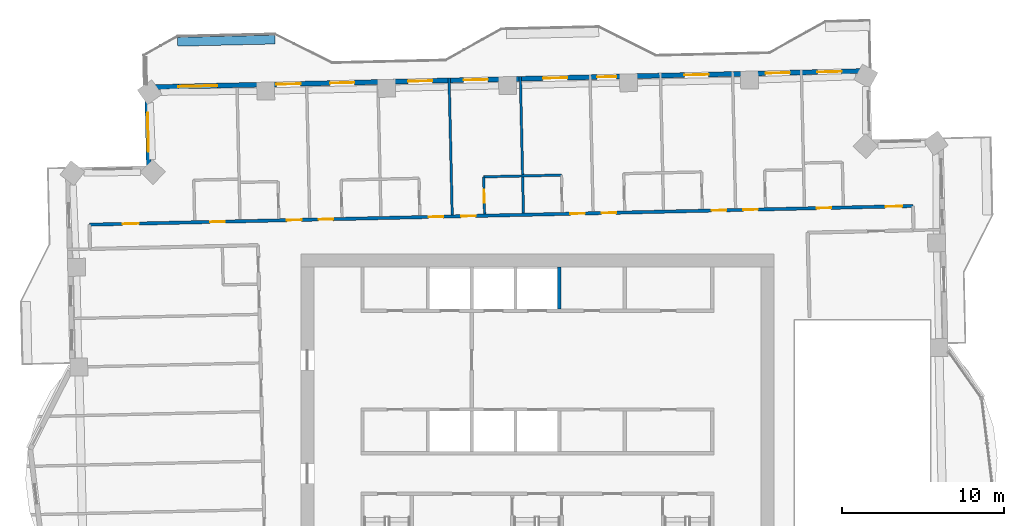
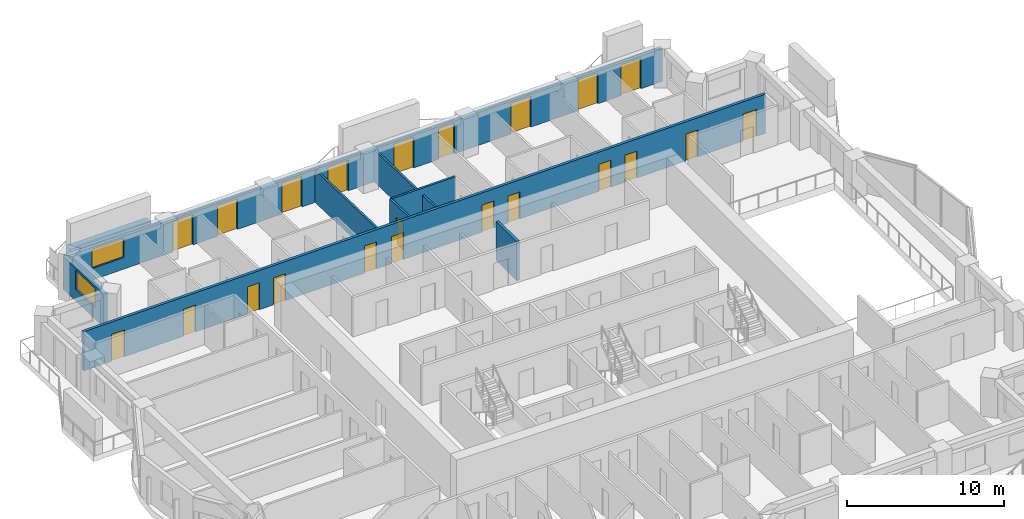
# One storey, part 11 of 17: 22 doors, 9 walls, 2 windows, 24 openings.
"""IFC4 building model written with IfcOpenShell, lengths in metres."""

from ifc_helpers import new_model, si_unit, direction, frame, frame_2d, origin, place, context, subcontext, project, spatial, rectangle, extrude, material, layer, layer_set, type_object, element, fill, save


model = new_model("IFC4")

# Units and contexts
model_context = context("Model", 3, precision=1e-05, world=origin(), true_north=direction((0.0, 1.0)))
body_context = subcontext(model_context, "Body", "Model", "MODEL_VIEW")
ifc_project = project(units=[si_unit("LENGTHUNIT", "METRE"), si_unit("AREAUNIT", "SQUARE_METRE"), si_unit("VOLUMEUNIT", "CUBIC_METRE"), si_unit("PLANEANGLEUNIT", "RADIAN"), si_unit("MASSUNIT", "GRAM", prefix="KILO")], contexts=[model_context])

# Site, building, storey
site_placement = place(None, origin())
site = spatial("IfcSite", under=ifc_project, at=site_placement, CompositionType="ELEMENT")
building_placement = place(site_placement, origin())
building = spatial("IfcBuilding", under=site, at=building_placement, Name="Mangrove Gate Tower", CompositionType="ELEMENT")
storey_placement = place(building_placement, frame((0.0, 0.0, 234.699951171875)))
storey = spatial("IfcBuildingStorey", under=building, at=storey_placement, Name="L59", CompositionType="ELEMENT", Elevation=234.699951171875)

# Wall
ifc_material_1 = material(Name="Concrete C60/75", Category="concrete")
ifc_layer_1 = layer(ifc_material_1, 0.199951171875)
ifc_layer_set_1 = layer_set([ifc_layer_1], Name="Core shaft wall 200 C60/75")
wall_type_1 = type_object("IfcWallType", Name="Core shaft wall 200 C60/75", PredefinedType="SHEAR", material=ifc_layer_set_1)
wall_1_placement = place(storey_placement, frame((1.35009765625, 8.199951171875, 0.0), z_axis=(0.0, 0.0, 1.0), x_axis=(0.0, 1.0, 0.0)))
element("IfcWall", 1, at=wall_1_placement, inside=storey, type_object=wall_type_1, Name="WALL-L59-CORE-30", PredefinedType="SHEAR", context=body_context, shape_type="SweptSolid", body=[
    extrude(rectangle(XDim=2.60009765625, YDim=0.199951171875, at=frame_2d((1.300048828125, 0.0))), origin(), (0.0, 0.0, 1.0), 3.050048828125),
])

# Wall, openings, doors
ifc_material_2 = material(Name="Gypsum board on steel stud, EI 60", Category="steel")
ifc_layer_2 = layer(ifc_material_2, 0.199951171875)
ifc_layer_set_2 = layer_set([ifc_layer_2], Name="Corridor wall EI 60")
wall_type_2 = type_object("IfcWallType", Name="Corridor wall EI 60", PredefinedType="PARTITIONING", material=ifc_layer_set_2)
wall_2_placement = place(storey_placement, frame((-27.652099609375, 13.4130859375, 0.0), z_axis=(0.0, 0.0, 1.0), x_axis=(0.999742610679, 0.022687273792, 0.0)))
wall_2 = element("IfcWall", 2, at=wall_2_placement, inside=storey, type_object=wall_type_2, Name="WALL-L59-053", PredefinedType="PARTITIONING", context=body_context, shape_type="SweptSolid", body=[
    extrude(rectangle(XDim=50.857177734375, YDim=0.199951171875, at=frame_2d((25.4287109375, 0.0))), origin(), (0.0, 0.0, 1.0), 3.050048828125),
])
opening_1_placement = place(wall_2_placement, frame((49.178955078125, 0.0, 0.0)))
opening_1 = element("IfcOpeningElement", 3, at=opening_1_placement, cuts=wall_2, Name="Opening AD", PredefinedType="OPENING", context=body_context, shape_type="SweptSolid", body=[
    extrude(rectangle(XDim=1.0, YDim=2.10009765625, at=frame_2d((0.5, 1.050048828125))), frame((0.0, 0.10986328125, 0.0), z_axis=(0.0, -1.0, 0.0), x_axis=(1.0, 0.0, 0.0)), (0.0, 0.0, 1.0), 0.219970703125),
])
opening_2_placement = place(wall_2_placement, frame((44.89990234375, 0.0, 0.0)))
opening_2 = element("IfcOpeningElement", 4, at=opening_2_placement, cuts=wall_2, Name="Opening SD", PredefinedType="OPENING", context=body_context, shape_type="SweptSolid", body=[
    extrude(rectangle(XDim=0.89990234375, YDim=2.10009765625, at=frame_2d((0.449951171875, 1.050048828125))), frame((0.0, 0.10986328125, 0.0), z_axis=(0.0, -1.0, 0.0), x_axis=(1.0, 0.0, 0.0)), (0.0, 0.0, 1.0), 0.219970703125),
])
opening_3_placement = place(wall_2_placement, frame((40.375, 0.0, 0.0)))
opening_3 = element("IfcOpeningElement", 5, at=opening_3_placement, cuts=wall_2, Name="Opening BD", PredefinedType="OPENING", context=body_context, shape_type="SweptSolid", body=[
    extrude(rectangle(XDim=0.89990234375, YDim=2.10009765625, at=frame_2d((0.449951171875, 1.050048828125))), frame((0.0, 0.10986328125, 0.0), z_axis=(0.0, -1.0, 0.0), x_axis=(1.0, 0.0, 0.0)), (0.0, 0.0, 1.0), 0.219970703125),
])
opening_4_placement = place(wall_2_placement, frame((38.425048828125, 0.0, 0.0)))
opening_4 = element("IfcOpeningElement", 6, at=opening_4_placement, cuts=wall_2, Name="Opening BD", PredefinedType="OPENING", context=body_context, shape_type="SweptSolid", body=[
    extrude(rectangle(XDim=0.89990234375, YDim=2.10009765625, at=frame_2d((0.449951171875, 1.050048828125))), frame((0.0, 0.10986328125, 0.0), z_axis=(0.0, -1.0, 0.0), x_axis=(1.0, 0.0, 0.0)), (0.0, 0.0, 1.0), 0.219970703125),
])
opening_5_placement = place(wall_2_placement, frame((31.625, 0.0, 0.0)))
opening_5 = element("IfcOpeningElement", 7, at=opening_5_placement, cuts=wall_2, Name="Opening BD", PredefinedType="OPENING", context=body_context, shape_type="SweptSolid", body=[
    extrude(rectangle(XDim=0.89990234375, YDim=2.10009765625, at=frame_2d((0.449951171875, 1.050048828125))), frame((0.0, 0.10986328125, 0.0), z_axis=(0.0, -1.0, 0.0), x_axis=(1.0, 0.0, 0.0)), (0.0, 0.0, 1.0), 0.219970703125),
])
opening_6_placement = place(wall_2_placement, frame((29.699951171875, 0.0, 0.0)))
opening_6 = element("IfcOpeningElement", 8, at=opening_6_placement, cuts=wall_2, Name="Opening BD", PredefinedType="OPENING", context=body_context, shape_type="SweptSolid", body=[
    extrude(rectangle(XDim=0.89990234375, YDim=2.10009765625, at=frame_2d((0.449951171875, 1.050048828125))), frame((0.0, 0.10986328125, 0.0), z_axis=(0.0, -1.0, 0.0), x_axis=(1.0, 0.0, 0.0)), (0.0, 0.0, 1.0), 0.219970703125),
])
opening_7_placement = place(wall_2_placement, frame((22.949951171875, 0.0, 0.0)))
opening_7 = element("IfcOpeningElement", 9, at=opening_7_placement, cuts=wall_2, Name="Opening BD", PredefinedType="OPENING", context=body_context, shape_type="SweptSolid", body=[
    extrude(rectangle(XDim=0.89990234375, YDim=2.10009765625, at=frame_2d((0.449951171875, 1.050048828125))), frame((0.0, 0.10986328125, 0.0), z_axis=(0.0, -1.0, 0.0), x_axis=(1.0, 0.0, 0.0)), (0.0, 0.0, 1.0), 0.219970703125),
])
opening_8_placement = place(wall_2_placement, frame((20.949951171875, 0.0, 0.0)))
opening_8 = element("IfcOpeningElement", 10, at=opening_8_placement, cuts=wall_2, Name="Opening BD", PredefinedType="OPENING", context=body_context, shape_type="SweptSolid", body=[
    extrude(rectangle(XDim=0.89990234375, YDim=2.10009765625, at=frame_2d((0.449951171875, 1.050048828125))), frame((0.0, 0.10986328125, 0.0), z_axis=(0.0, -1.0, 0.0), x_axis=(1.0, 0.0, 0.0)), (0.0, 0.0, 1.0), 0.219970703125),
])
opening_9_placement = place(wall_2_placement, frame((14.14990234375, 0.0, 0.0)))
opening_9 = element("IfcOpeningElement", 11, at=opening_9_placement, cuts=wall_2, Name="Opening BD", PredefinedType="OPENING", context=body_context, shape_type="SweptSolid", body=[
    extrude(rectangle(XDim=0.89990234375, YDim=2.10009765625, at=frame_2d((0.449951171875, 1.050048828125))), frame((0.0, 0.10986328125, 0.0), z_axis=(0.0, -1.0, 0.0), x_axis=(1.0, 0.0, 0.0)), (0.0, 0.0, 1.0), 0.219970703125),
])
opening_10_placement = place(wall_2_placement, frame((12.199951171875, 0.0, 0.0)))
opening_10 = element("IfcOpeningElement", 12, at=opening_10_placement, cuts=wall_2, Name="Opening BD", PredefinedType="OPENING", context=body_context, shape_type="SweptSolid", body=[
    extrude(rectangle(XDim=0.89990234375, YDim=2.10009765625, at=frame_2d((0.449951171875, 1.050048828125))), frame((0.0, 0.10986328125, 0.0), z_axis=(0.0, -1.0, 0.0), x_axis=(1.0, 0.0, 0.0)), (0.0, 0.0, 1.0), 0.219970703125),
])
opening_11_placement = place(wall_2_placement, frame((2.050048828125, 0.0, 0.0)))
opening_11 = element("IfcOpeningElement", 13, at=opening_11_placement, cuts=wall_2, Name="Opening AD", PredefinedType="OPENING", context=body_context, shape_type="SweptSolid", body=[
    extrude(rectangle(XDim=1.0, YDim=2.10009765625, at=frame_2d((0.5, 1.050048828125))), frame((0.0, 0.10986328125, 0.0), z_axis=(0.0, -1.0, 0.0), x_axis=(1.0, 0.0, 0.0)), (0.0, 0.0, 1.0), 0.219970703125),
])
opening_12_placement = place(wall_2_placement, frame((7.449951171875, 0.0, 0.0)))
opening_12 = element("IfcOpeningElement", 14, at=opening_12_placement, cuts=wall_2, Name="Opening SD", PredefinedType="OPENING", context=body_context, shape_type="SweptSolid", body=[
    extrude(rectangle(XDim=0.89990234375, YDim=2.10009765625, at=frame_2d((0.449951171875, 1.050048828125))), frame((0.0, 0.10986328125, 0.0), z_axis=(0.0, -1.0, 0.0), x_axis=(1.0, 0.0, 0.0)), (0.0, 0.0, 1.0), 0.219970703125),
])
ifc_material_3 = material(Name="Timber door leaf", Category="wood")
door_type_1 = type_object("IfcDoorType", Name="Amenity door 1000", OperationType="SINGLE_SWING_LEFT", PredefinedType="DOOR", material=ifc_material_3)
door_1_placement = place(opening_1_placement, origin())
door_1 = element("IfcDoor", 15, at=door_1_placement, inside=storey, type_object=door_type_1, Name="DOOR-L59-STU-c3c", OperationType="SINGLE_SWING_LEFT", OverallHeight=2.10009765625, OverallWidth=1.0, PredefinedType="DOOR", context=body_context, shape_type="SweptSolid", body=[
    extrude(rectangle(XDim=1.0, YDim=2.10009765625, at=frame_2d((0.5, 1.050048828125))), frame((0.0, 0.02490234375, 0.0), z_axis=(0.0, -1.0, 0.0), x_axis=(1.0, 0.0, 0.0)), (0.0, 0.0, 1.0), 0.050048828125),
])
fill(opening_1, door_1)
door_2_placement = place(opening_11_placement, origin())
door_2 = element("IfcDoor", 16, at=door_2_placement, inside=storey, type_object=door_type_1, Name="DOOR-L59-LNG-c5a", OperationType="SINGLE_SWING_RIGHT", OverallHeight=2.10009765625, OverallWidth=1.0, PredefinedType="DOOR", context=body_context, shape_type="SweptSolid", body=[
    extrude(rectangle(XDim=1.0, YDim=2.10009765625, at=frame_2d((0.5, 1.050048828125))), frame((0.0, 0.02490234375, 0.0), z_axis=(0.0, -1.0, 0.0), x_axis=(1.0, 0.0, 0.0)), (0.0, 0.0, 1.0), 0.050048828125),
])
fill(opening_11, door_2)
ifc_material_4 = material(Name="Timber door leaf", Category="wood")
door_type_2 = type_object("IfcDoorType", Name="Bedroom door 900", OperationType="SINGLE_SWING_LEFT", PredefinedType="DOOR", material=ifc_material_4)
door_3_placement = place(opening_3_placement, origin())
door_3 = element("IfcDoor", 17, at=door_3_placement, inside=storey, type_object=door_type_2, Name="DOOR-L59-BED-c309", OperationType="SINGLE_SWING_LEFT", OverallHeight=2.10009765625, OverallWidth=0.89990234375, PredefinedType="DOOR", context=body_context, shape_type="SweptSolid", body=[
    extrude(rectangle(XDim=0.89990234375, YDim=2.10009765625, at=frame_2d((0.449951171875, 1.050048828125))), frame((0.0, 0.02490234375, 0.0), z_axis=(0.0, -1.0, 0.0), x_axis=(1.0, 0.0, 0.0)), (0.0, 0.0, 1.0), 0.050048828125),
])
fill(opening_3, door_3)
door_4_placement = place(opening_4_placement, origin())
door_4 = element("IfcDoor", 18, at=door_4_placement, inside=storey, type_object=door_type_2, Name="DOOR-L59-BED-c310", OperationType="SINGLE_SWING_RIGHT", OverallHeight=2.10009765625, OverallWidth=0.89990234375, PredefinedType="DOOR", context=body_context, shape_type="SweptSolid", body=[
    extrude(rectangle(XDim=0.89990234375, YDim=2.10009765625, at=frame_2d((0.449951171875, 1.050048828125))), frame((0.0, 0.02490234375, 0.0), z_axis=(0.0, -1.0, 0.0), x_axis=(1.0, 0.0, 0.0)), (0.0, 0.0, 1.0), 0.050048828125),
])
fill(opening_4, door_4)
door_5_placement = place(opening_5_placement, origin())
door_5 = element("IfcDoor", 19, at=door_5_placement, inside=storey, type_object=door_type_2, Name="DOOR-L59-BED-c411", OperationType="SINGLE_SWING_LEFT", OverallHeight=2.10009765625, OverallWidth=0.89990234375, PredefinedType="DOOR", context=body_context, shape_type="SweptSolid", body=[
    extrude(rectangle(XDim=0.89990234375, YDim=2.10009765625, at=frame_2d((0.449951171875, 1.050048828125))), frame((0.0, 0.02490234375, 0.0), z_axis=(0.0, -1.0, 0.0), x_axis=(1.0, 0.0, 0.0)), (0.0, 0.0, 1.0), 0.050048828125),
])
fill(opening_5, door_5)
door_6_placement = place(opening_6_placement, origin())
door_6 = element("IfcDoor", 20, at=door_6_placement, inside=storey, type_object=door_type_2, Name="DOOR-L59-BED-c412", OperationType="SINGLE_SWING_RIGHT", OverallHeight=2.10009765625, OverallWidth=0.89990234375, PredefinedType="DOOR", context=body_context, shape_type="SweptSolid", body=[
    extrude(rectangle(XDim=0.89990234375, YDim=2.10009765625, at=frame_2d((0.449951171875, 1.050048828125))), frame((0.0, 0.02490234375, 0.0), z_axis=(0.0, -1.0, 0.0), x_axis=(1.0, 0.0, 0.0)), (0.0, 0.0, 1.0), 0.050048828125),
])
fill(opening_6, door_6)
door_7_placement = place(opening_7_placement, origin())
door_7 = element("IfcDoor", 21, at=door_7_placement, inside=storey, type_object=door_type_2, Name="DOOR-L59-BED-c413", OperationType="SINGLE_SWING_LEFT", OverallHeight=2.10009765625, OverallWidth=0.89990234375, PredefinedType="DOOR", context=body_context, shape_type="SweptSolid", body=[
    extrude(rectangle(XDim=0.89990234375, YDim=2.10009765625, at=frame_2d((0.449951171875, 1.050048828125))), frame((0.0, 0.02490234375, 0.0), z_axis=(0.0, -1.0, 0.0), x_axis=(1.0, 0.0, 0.0)), (0.0, 0.0, 1.0), 0.050048828125),
])
fill(opening_7, door_7)
door_8_placement = place(opening_8_placement, origin())
door_8 = element("IfcDoor", 22, at=door_8_placement, inside=storey, type_object=door_type_2, Name="DOOR-L59-BED-c514", OperationType="SINGLE_SWING_RIGHT", OverallHeight=2.10009765625, OverallWidth=0.89990234375, PredefinedType="DOOR", context=body_context, shape_type="SweptSolid", body=[
    extrude(rectangle(XDim=0.89990234375, YDim=2.10009765625, at=frame_2d((0.449951171875, 1.050048828125))), frame((0.0, 0.02490234375, 0.0), z_axis=(0.0, -1.0, 0.0), x_axis=(1.0, 0.0, 0.0)), (0.0, 0.0, 1.0), 0.050048828125),
])
fill(opening_8, door_8)
door_9_placement = place(opening_9_placement, origin())
door_9 = element("IfcDoor", 23, at=door_9_placement, inside=storey, type_object=door_type_2, Name="DOOR-L59-BED-c515", OperationType="SINGLE_SWING_LEFT", OverallHeight=2.10009765625, OverallWidth=0.89990234375, PredefinedType="DOOR", context=body_context, shape_type="SweptSolid", body=[
    extrude(rectangle(XDim=0.89990234375, YDim=2.10009765625, at=frame_2d((0.449951171875, 1.050048828125))), frame((0.0, 0.02490234375, 0.0), z_axis=(0.0, -1.0, 0.0), x_axis=(1.0, 0.0, 0.0)), (0.0, 0.0, 1.0), 0.050048828125),
])
fill(opening_9, door_9)
door_10_placement = place(opening_10_placement, origin())
door_10 = element("IfcDoor", 24, at=door_10_placement, inside=storey, type_object=door_type_2, Name="DOOR-L59-BED-c516", OperationType="SINGLE_SWING_RIGHT", OverallHeight=2.10009765625, OverallWidth=0.89990234375, PredefinedType="DOOR", context=body_context, shape_type="SweptSolid", body=[
    extrude(rectangle(XDim=0.89990234375, YDim=2.10009765625, at=frame_2d((0.449951171875, 1.050048828125))), frame((0.0, 0.02490234375, 0.0), z_axis=(0.0, -1.0, 0.0), x_axis=(1.0, 0.0, 0.0)), (0.0, 0.0, 1.0), 0.050048828125),
])
fill(opening_10, door_10)
ifc_material_5 = material(Name="Timber door leaf", Category="wood")
door_type_3 = type_object("IfcDoorType", Name="Service room door 900", OperationType="SINGLE_SWING_LEFT", PredefinedType="DOOR", material=ifc_material_5)
door_11_placement = place(opening_2_placement, origin())
door_11 = element("IfcDoor", 25, at=door_11_placement, inside=storey, type_object=door_type_3, Name="DOOR-L59-WC-c3a", OperationType="SINGLE_SWING_RIGHT", OverallHeight=2.10009765625, OverallWidth=0.89990234375, PredefinedType="DOOR", context=body_context, shape_type="SweptSolid", body=[
    extrude(rectangle(XDim=0.89990234375, YDim=2.10009765625, at=frame_2d((0.449951171875, 1.050048828125))), frame((0.0, 0.02490234375, 0.0), z_axis=(0.0, -1.0, 0.0), x_axis=(1.0, 0.0, 0.0)), (0.0, 0.0, 1.0), 0.050048828125),
])
fill(opening_2, door_11)
door_12_placement = place(opening_12_placement, origin())
door_12 = element("IfcDoor", 26, at=door_12_placement, inside=storey, type_object=door_type_3, Name="DOOR-L59-LDY-c5a", OperationType="SINGLE_SWING_LEFT", OverallHeight=2.10009765625, OverallWidth=0.89990234375, PredefinedType="DOOR", context=body_context, shape_type="SweptSolid", body=[
    extrude(rectangle(XDim=0.89990234375, YDim=2.10009765625, at=frame_2d((0.449951171875, 1.050048828125))), frame((0.0, 0.02490234375, 0.0), z_axis=(0.0, -1.0, 0.0), x_axis=(1.0, 0.0, 0.0)), (0.0, 0.0, 1.0), 0.050048828125),
])
fill(opening_12, door_12)

# Wall, openings, doors, window
ifc_material_6 = material(Name="Limestone", Category="masonry")
ifc_layer_3 = layer(ifc_material_6, 0.0400390625, Name="Limestone cladding")
ifc_material_7 = material(Name="Ventilated air gap")
ifc_layer_4 = layer(ifc_material_7, 0.0400390625, Name="Ventilated cavity")
ifc_material_8 = material(Name="Mineral wool insulation")
ifc_layer_5 = layer(ifc_material_8, 0.06005859375, Name="Insulation")
ifc_material_9 = material(Name="Breather membrane")
ifc_layer_6 = layer(ifc_material_9, 0.001953125, Name="Breather membrane")
ifc_material_10 = material(Name="Concrete C20/25 blockwork", Category="masonry")
ifc_layer_7 = layer(ifc_material_10, 0.14990234375, Name="Blockwork backing wall")
ifc_material_11 = material(Name="Gypsum plaster")
ifc_layer_8 = layer(ifc_material_11, 0.008056640625, Name="Internal plaster")
ifc_layer_set_3 = layer_set([ifc_layer_3, ifc_layer_4, ifc_layer_5, ifc_layer_6, ifc_layer_7, ifc_layer_8], Name="External wall 300 limestone cladding")
wall_type_3 = type_object("IfcWallType", Name="External wall 300 limestone cladding", PredefinedType="SOLIDWALL", material=ifc_layer_set_3)
wall_3_placement = place(storey_placement, frame((20.403076171875, 22.905029296875, 0.0), z_axis=(0.0, 0.0, 1.0), x_axis=(-0.99974298964, -0.022670568288, 0.0)))
wall_3 = element("IfcWall", 27, at=wall_3_placement, inside=storey, type_object=wall_type_3, Name="WALL-L59-N5", PredefinedType="SOLIDWALL", context=body_context, shape_type="SweptSolid", body=[
    extrude(rectangle(XDim=44.508544921875, YDim=0.300048828125, at=frame_2d((22.25439453125, 0.0))), origin(), (0.0, 0.0, 1.0), 2.550048828125),
])
opening_13_placement = place(wall_3_placement, frame((1.6201171875, 0.0, 0.0)))
opening_13 = element("IfcOpeningElement", 28, at=opening_13_placement, cuts=wall_3, Name="Opening BD1", PredefinedType="OPENING", context=body_context, shape_type="SweptSolid", body=[
    extrude(rectangle(XDim=1.5, YDim=2.39990234375, at=frame_2d((0.75, 1.199951171875))), frame((0.0, 0.159912109375, 0.0), z_axis=(0.0, -1.0, 0.0), x_axis=(1.0, 0.0, 0.0)), (0.0, 0.0, 1.0), 0.320068359375),
])
opening_14_placement = place(wall_3_placement, frame((4.81298828125, 0.0, 0.0)))
opening_14 = element("IfcOpeningElement", 29, at=opening_14_placement, cuts=wall_3, Name="Opening BD1", PredefinedType="OPENING", context=body_context, shape_type="SweptSolid", body=[
    extrude(rectangle(XDim=1.5, YDim=2.39990234375, at=frame_2d((0.75, 1.199951171875))), frame((0.0, 0.159912109375, 0.0), z_axis=(0.0, -1.0, 0.0), x_axis=(1.0, 0.0, 0.0)), (0.0, 0.0, 1.0), 0.320068359375),
])
opening_15_placement = place(wall_3_placement, frame((9.8330078125, 0.0, 0.0)))
opening_15 = element("IfcOpeningElement", 30, at=opening_15_placement, cuts=wall_3, Name="Opening BD1", PredefinedType="OPENING", context=body_context, shape_type="SweptSolid", body=[
    extrude(rectangle(XDim=1.5, YDim=2.39990234375, at=frame_2d((0.75, 1.199951171875))), frame((0.0, 0.159912109375, 0.0), z_axis=(0.0, -1.0, 0.0), x_axis=(1.0, 0.0, 0.0)), (0.0, 0.0, 1.0), 0.320068359375),
])
opening_16_placement = place(wall_3_placement, frame((15.52197265625, 0.0, 0.0)))
opening_16 = element("IfcOpeningElement", 31, at=opening_16_placement, cuts=wall_3, Name="Opening BD2", PredefinedType="OPENING", context=body_context, shape_type="SweptSolid", body=[
    extrude(rectangle(XDim=1.199951171875, YDim=2.39990234375, at=frame_2d((0.60009765625, 1.199951171875))), frame((0.0, 0.159912109375, 0.0), z_axis=(0.0, -1.0, 0.0), x_axis=(1.0, 0.0, 0.0)), (0.0, 0.0, 1.0), 0.320068359375),
])
opening_17_placement = place(wall_3_placement, frame((18.55810546875, 0.0, 0.0)))
opening_17 = element("IfcOpeningElement", 32, at=opening_17_placement, cuts=wall_3, Name="Opening BD1", PredefinedType="OPENING", context=body_context, shape_type="SweptSolid", body=[
    extrude(rectangle(XDim=1.5, YDim=2.39990234375, at=frame_2d((0.75, 1.199951171875))), frame((0.0, 0.159912109375, 0.0), z_axis=(0.0, -1.0, 0.0), x_axis=(1.0, 0.0, 0.0)), (0.0, 0.0, 1.0), 0.320068359375),
])
opening_18_placement = place(wall_3_placement, frame((23.4560546875, 0.0, 0.0)))
opening_18 = element("IfcOpeningElement", 33, at=opening_18_placement, cuts=wall_3, Name="Opening BD1", PredefinedType="OPENING", context=body_context, shape_type="SweptSolid", body=[
    extrude(rectangle(XDim=1.5, YDim=2.39990234375, at=frame_2d((0.75, 1.199951171875))), frame((0.0, 0.159912109375, 0.0), z_axis=(0.0, -1.0, 0.0), x_axis=(1.0, 0.0, 0.0)), (0.0, 0.0, 1.0), 0.320068359375),
])
opening_19_placement = place(wall_3_placement, frame((26.889892578125, 0.0, 0.0)))
opening_19 = element("IfcOpeningElement", 34, at=opening_19_placement, cuts=wall_3, Name="Opening BD1", PredefinedType="OPENING", context=body_context, shape_type="SweptSolid", body=[
    extrude(rectangle(XDim=1.5, YDim=2.39990234375, at=frame_2d((0.75, 1.199951171875))), frame((0.0, 0.159912109375, 0.0), z_axis=(0.0, -1.0, 0.0), x_axis=(1.0, 0.0, 0.0)), (0.0, 0.0, 1.0), 0.320068359375),
])
opening_20_placement = place(wall_3_placement, frame((31.7080078125, 0.0, 0.0)))
opening_20 = element("IfcOpeningElement", 35, at=opening_20_placement, cuts=wall_3, Name="Opening BD1", PredefinedType="OPENING", context=body_context, shape_type="SweptSolid", body=[
    extrude(rectangle(XDim=1.5, YDim=2.39990234375, at=frame_2d((0.75, 1.199951171875))), frame((0.0, 0.159912109375, 0.0), z_axis=(0.0, -1.0, 0.0), x_axis=(1.0, 0.0, 0.0)), (0.0, 0.0, 1.0), 0.320068359375),
])
opening_21_placement = place(wall_3_placement, frame((35.02392578125, 0.0, 0.0)))
opening_21 = element("IfcOpeningElement", 36, at=opening_21_placement, cuts=wall_3, Name="Opening BD1", PredefinedType="OPENING", context=body_context, shape_type="SweptSolid", body=[
    extrude(rectangle(XDim=1.5, YDim=2.39990234375, at=frame_2d((0.75, 1.199951171875))), frame((0.0, 0.159912109375, 0.0), z_axis=(0.0, -1.0, 0.0), x_axis=(1.0, 0.0, 0.0)), (0.0, 0.0, 1.0), 0.320068359375),
])
opening_22_placement = place(wall_3_placement, frame((40.173095703125, 0.0, 0.89990234375)))
opening_22 = element("IfcOpeningElement", 37, at=opening_22_placement, cuts=wall_3, Name="Opening W2", PredefinedType="OPENING", context=body_context, shape_type="SweptSolid", body=[
    extrude(rectangle(XDim=2.39990234375, YDim=1.5, at=frame_2d((1.199951171875, 0.75))), frame((0.0, 0.159912109375, 0.0), z_axis=(0.0, -1.0, 0.0), x_axis=(1.0, 0.0, 0.0)), (0.0, 0.0, 1.0), 0.320068359375),
])
ifc_material_12 = material(Name="Aluminium frame with laminated clear glass", Category="aluminium")
door_type_4 = type_object("IfcDoorType", Name="Balcony sliding door 1200x2400", OperationType="SLIDING_TO_LEFT", PredefinedType="DOOR", material=ifc_material_12)
door_13_placement = place(opening_16_placement, origin())
door_13 = element("IfcDoor", 38, at=door_13_placement, inside=storey, type_object=door_type_4, Name="DOOR-L59-N5-4", OperationType="SLIDING_TO_LEFT", OverallHeight=2.39990234375, OverallWidth=1.199951171875, PredefinedType="DOOR", context=body_context, shape_type="SweptSolid", body=[
    extrude(rectangle(XDim=1.199951171875, YDim=2.39990234375, at=frame_2d((0.60009765625, 1.199951171875))), frame((0.0, 0.02490234375, 0.0), z_axis=(0.0, -1.0, 0.0), x_axis=(1.0, 0.0, 0.0)), (0.0, 0.0, 1.0), 0.050048828125),
])
fill(opening_16, door_13)
ifc_material_13 = material(Name="Aluminium frame with laminated clear glass", Category="aluminium")
door_type_5 = type_object("IfcDoorType", Name="Balcony sliding door 1500x2400", OperationType="SLIDING_TO_LEFT", PredefinedType="DOOR", material=ifc_material_13)
door_14_placement = place(opening_13_placement, origin())
door_14 = element("IfcDoor", 39, at=door_14_placement, inside=storey, type_object=door_type_5, Name="DOOR-L59-N5-1", OperationType="SLIDING_TO_LEFT", OverallHeight=2.39990234375, OverallWidth=1.5, PredefinedType="DOOR", context=body_context, shape_type="SweptSolid", body=[
    extrude(rectangle(XDim=1.5, YDim=2.39990234375, at=frame_2d((0.75, 1.199951171875))), frame((0.0, 0.02490234375, 0.0), z_axis=(0.0, -1.0, 0.0), x_axis=(1.0, 0.0, 0.0)), (0.0, 0.0, 1.0), 0.050048828125),
])
fill(opening_13, door_14)
door_15_placement = place(opening_14_placement, origin())
door_15 = element("IfcDoor", 40, at=door_15_placement, inside=storey, type_object=door_type_5, Name="DOOR-L59-N5-2", OperationType="SLIDING_TO_LEFT", OverallHeight=2.39990234375, OverallWidth=1.5, PredefinedType="DOOR", context=body_context, shape_type="SweptSolid", body=[
    extrude(rectangle(XDim=1.5, YDim=2.39990234375, at=frame_2d((0.75, 1.199951171875))), frame((0.0, 0.02490234375, 0.0), z_axis=(0.0, -1.0, 0.0), x_axis=(1.0, 0.0, 0.0)), (0.0, 0.0, 1.0), 0.050048828125),
])
fill(opening_14, door_15)
door_16_placement = place(opening_15_placement, origin())
door_16 = element("IfcDoor", 41, at=door_16_placement, inside=storey, type_object=door_type_5, Name="DOOR-L59-N5-3", OperationType="SLIDING_TO_LEFT", OverallHeight=2.39990234375, OverallWidth=1.5, PredefinedType="DOOR", context=body_context, shape_type="SweptSolid", body=[
    extrude(rectangle(XDim=1.5, YDim=2.39990234375, at=frame_2d((0.75, 1.199951171875))), frame((0.0, 0.02490234375, 0.0), z_axis=(0.0, -1.0, 0.0), x_axis=(1.0, 0.0, 0.0)), (0.0, 0.0, 1.0), 0.050048828125),
])
fill(opening_15, door_16)
door_17_placement = place(opening_17_placement, origin())
door_17 = element("IfcDoor", 42, at=door_17_placement, inside=storey, type_object=door_type_5, Name="DOOR-L59-N5-5", OperationType="SLIDING_TO_LEFT", OverallHeight=2.39990234375, OverallWidth=1.5, PredefinedType="DOOR", context=body_context, shape_type="SweptSolid", body=[
    extrude(rectangle(XDim=1.5, YDim=2.39990234375, at=frame_2d((0.75, 1.199951171875))), frame((0.0, 0.02490234375, 0.0), z_axis=(0.0, -1.0, 0.0), x_axis=(1.0, 0.0, 0.0)), (0.0, 0.0, 1.0), 0.050048828125),
])
fill(opening_17, door_17)
door_18_placement = place(opening_18_placement, origin())
door_18 = element("IfcDoor", 43, at=door_18_placement, inside=storey, type_object=door_type_5, Name="DOOR-L59-N5-6", OperationType="SLIDING_TO_LEFT", OverallHeight=2.39990234375, OverallWidth=1.5, PredefinedType="DOOR", context=body_context, shape_type="SweptSolid", body=[
    extrude(rectangle(XDim=1.5, YDim=2.39990234375, at=frame_2d((0.75, 1.199951171875))), frame((0.0, 0.02490234375, 0.0), z_axis=(0.0, -1.0, 0.0), x_axis=(1.0, 0.0, 0.0)), (0.0, 0.0, 1.0), 0.050048828125),
])
fill(opening_18, door_18)
door_19_placement = place(opening_19_placement, origin())
door_19 = element("IfcDoor", 44, at=door_19_placement, inside=storey, type_object=door_type_5, Name="DOOR-L59-N5-7", OperationType="SLIDING_TO_LEFT", OverallHeight=2.39990234375, OverallWidth=1.5, PredefinedType="DOOR", context=body_context, shape_type="SweptSolid", body=[
    extrude(rectangle(XDim=1.5, YDim=2.39990234375, at=frame_2d((0.75, 1.199951171875))), frame((0.0, 0.02490234375, 0.0), z_axis=(0.0, -1.0, 0.0), x_axis=(1.0, 0.0, 0.0)), (0.0, 0.0, 1.0), 0.050048828125),
])
fill(opening_19, door_19)
door_20_placement = place(opening_20_placement, origin())
door_20 = element("IfcDoor", 45, at=door_20_placement, inside=storey, type_object=door_type_5, Name="DOOR-L59-N5-8", OperationType="SLIDING_TO_LEFT", OverallHeight=2.39990234375, OverallWidth=1.5, PredefinedType="DOOR", context=body_context, shape_type="SweptSolid", body=[
    extrude(rectangle(XDim=1.5, YDim=2.39990234375, at=frame_2d((0.75, 1.199951171875))), frame((0.0, 0.02490234375, 0.0), z_axis=(0.0, -1.0, 0.0), x_axis=(1.0, 0.0, 0.0)), (0.0, 0.0, 1.0), 0.050048828125),
])
fill(opening_20, door_20)
door_21_placement = place(opening_21_placement, origin())
door_21 = element("IfcDoor", 46, at=door_21_placement, inside=storey, type_object=door_type_5, Name="DOOR-L59-N5-9", OperationType="SLIDING_TO_LEFT", OverallHeight=2.39990234375, OverallWidth=1.5, PredefinedType="DOOR", context=body_context, shape_type="SweptSolid", body=[
    extrude(rectangle(XDim=1.5, YDim=2.39990234375, at=frame_2d((0.75, 1.199951171875))), frame((0.0, 0.02490234375, 0.0), z_axis=(0.0, -1.0, 0.0), x_axis=(1.0, 0.0, 0.0)), (0.0, 0.0, 1.0), 0.050048828125),
])
fill(opening_21, door_21)
ifc_material_14 = material(Name="Aluminium frame with double-glazed low-e glass", Category="aluminium")
window_type = type_object("IfcWindowType", Name="Corner room window 2400x1500", PartitioningType="DOUBLE_PANEL_VERTICAL", PredefinedType="WINDOW", material=ifc_material_14)
window_1_placement = place(opening_22_placement, origin())
window_1 = element("IfcWindow", 47, at=window_1_placement, inside=storey, type_object=window_type, Name="WIN-L59-N5-10", OverallHeight=1.5, OverallWidth=2.39990234375, PartitioningType="DOUBLE_PANEL_VERTICAL", PredefinedType="WINDOW", context=body_context, shape_type="SweptSolid", body=[
    extrude(rectangle(XDim=2.39990234375, YDim=1.5, at=frame_2d((1.199951171875, 0.75))), frame((0.0, 0.030029296875, 0.0), z_axis=(0.0, -1.0, 0.0), x_axis=(1.0, 0.0, 0.0)), (0.0, 0.0, 1.0), 0.06005859375),
])
fill(opening_22, window_1)

# Wall, opening, window
wall_4_placement = place(storey_placement, frame((-24.093994140625, 21.89599609375, 0.0), z_axis=(0.0, 0.0, 1.0), x_axis=(0.022606059803, -0.999744450377, 0.0)))
wall_4 = element("IfcWall", 48, at=wall_4_placement, inside=storey, type_object=wall_type_3, Name="WALL-L59-W6", PredefinedType="SOLIDWALL", context=body_context, shape_type="SweptSolid", body=[
    extrude(rectangle(XDim=5.000244140625, YDim=0.300048828125, at=frame_2d((2.5, 0.0))), origin(), (0.0, 0.0, 1.0), 2.550048828125),
])
opening_23_placement = place(wall_4_placement, frame((1.56591796875, 0.0, 0.89990234375)))
opening_23 = element("IfcOpeningElement", 49, at=opening_23_placement, cuts=wall_4, Name="Opening W2", PredefinedType="OPENING", context=body_context, shape_type="SweptSolid", body=[
    extrude(rectangle(XDim=2.39990234375, YDim=1.5, at=frame_2d((1.199951171875, 0.75))), frame((0.0, 0.159912109375, 0.0), z_axis=(0.0, -1.0, 0.0), x_axis=(1.0, 0.0, 0.0)), (0.0, 0.0, 1.0), 0.320068359375),
])
window_2_placement = place(opening_23_placement, origin())
window_2 = element("IfcWindow", 50, at=window_2_placement, inside=storey, type_object=window_type, Name="WIN-L59-W6-1", OverallHeight=1.5, OverallWidth=2.39990234375, PartitioningType="DOUBLE_PANEL_VERTICAL", PredefinedType="WINDOW", context=body_context, shape_type="SweptSolid", body=[
    extrude(rectangle(XDim=2.39990234375, YDim=1.5, at=frame_2d((1.199951171875, 0.75))), frame((0.0, 0.030029296875, 0.0), z_axis=(0.0, -1.0, 0.0), x_axis=(1.0, 0.0, 0.0)), (0.0, 0.0, 1.0), 0.06005859375),
])
fill(opening_23, window_2)

# Wall
ifc_material_15 = material(Name="Gypsum board on steel stud, EI 60", Category="steel")
ifc_layer_9 = layer(ifc_material_15, 0.14990234375)
ifc_layer_set_4 = layer_set([ifc_layer_9], Name="Party wall 150 EI 60")
wall_type_4 = type_object("IfcWallType", Name="Party wall 150 EI 60", PredefinedType="PARTITIONING", material=ifc_layer_set_4)
wall_5_placement = place(storey_placement, frame((-5.256103515625, 14.02099609375, 0.0), z_axis=(0.0, 0.0, 1.0), x_axis=(-0.022708935798, 0.999742118866, 0.0)))
element("IfcWall", 51, at=wall_5_placement, inside=storey, type_object=wall_type_4, Name="WALL-L59-061", PredefinedType="PARTITIONING", context=body_context, shape_type="SweptSolid", body=[
    extrude(rectangle(XDim=8.4501953125, YDim=0.14990234375, at=frame_2d((4.22509765625, 0.0))), origin(), (0.0, 0.0, 1.0), 2.5),
])

# Wall, opening, door
wall_6_placement = place(storey_placement, frame((-3.257080078125, 14.06591796875, 0.0), z_axis=(0.0, 0.0, 1.0), x_axis=(-0.022603288534, 0.999744513037, 0.0)))
wall_6 = element("IfcWall", 52, at=wall_6_placement, inside=storey, type_object=wall_type_4, Name="WALL-L59-062", PredefinedType="PARTITIONING", context=body_context, shape_type="SweptSolid", body=[
    extrude(rectangle(XDim=2.300537109375, YDim=0.14990234375, at=frame_2d((1.150390625, 0.0))), origin(), (0.0, 0.0, 1.0), 3.050048828125),
])
opening_24_placement = place(wall_6_placement, frame((0.699951171875, 0.0, 0.0)))
opening_24 = element("IfcOpeningElement", 53, at=opening_24_placement, cuts=wall_6, Name="Opening ED", PredefinedType="OPENING", context=body_context, shape_type="SweptSolid", body=[
    extrude(rectangle(XDim=0.800048828125, YDim=2.10009765625, at=frame_2d((0.39990234375, 1.050048828125))), frame((0.0, 0.0849609375, 0.0), z_axis=(0.0, -1.0, 0.0), x_axis=(1.0, 0.0, 0.0)), (0.0, 0.0, 1.0), 0.169921875),
])
ifc_material_16 = material(Name="Timber door leaf", Category="wood")
door_type_6 = type_object("IfcDoorType", Name="En-suite door 800", OperationType="SINGLE_SWING_LEFT", PredefinedType="DOOR", material=ifc_material_16)
door_22_placement = place(opening_24_placement, origin())
door_22 = element("IfcDoor", 54, at=door_22_placement, inside=storey, type_object=door_type_6, Name="DOOR-L59-ENS-c413", OperationType="SINGLE_SWING_LEFT", OverallHeight=2.10009765625, OverallWidth=0.800048828125, PredefinedType="DOOR", context=body_context, shape_type="SweptSolid", body=[
    extrude(rectangle(XDim=0.800048828125, YDim=2.10009765625, at=frame_2d((0.39990234375, 1.050048828125))), frame((0.0, 0.02490234375, 0.0), z_axis=(0.0, -1.0, 0.0), x_axis=(1.0, 0.0, 0.0)), (0.0, 0.0, 1.0), 0.050048828125),
])
fill(opening_24, door_22)

# Walls
wall_7_placement = place(storey_placement, frame((-0.85791015625, 14.12109375, 0.0), z_axis=(0.0, 0.0, 1.0), x_axis=(-0.022622304913, 0.999744082913, 0.0)))
element("IfcWall", 55, at=wall_7_placement, inside=storey, type_object=wall_type_4, Name="WALL-L59-063", PredefinedType="PARTITIONING", context=body_context, shape_type="SweptSolid", body=[
    extrude(rectangle(XDim=8.4501953125, YDim=0.14990234375, at=frame_2d((4.22509765625, 0.0))), origin(), (0.0, 0.0, 1.0), 2.5),
])
wall_8_placement = place(storey_placement, frame((-3.31298828125, 16.365966796875, 0.0), z_axis=(0.0, 0.0, 1.0), x_axis=(0.99974154664, 0.022734113616, 0.0)))
element("IfcWall", 56, at=wall_8_placement, inside=storey, type_object=wall_type_4, Name="WALL-L59-075", PredefinedType="PARTITIONING", context=body_context, shape_type="SweptSolid", body=[
    extrude(rectangle(XDim=4.80029296875, YDim=0.14990234375, at=frame_2d((2.400146484375, 0.0))), origin(), (0.0, 0.0, 1.0), 3.050048828125),
])
ifc_material_17 = material(Name="Concrete C32/40", Category="concrete")
ifc_layer_10 = layer(ifc_material_17, 0.199951171875, Name="Planter trough wall")
ifc_material_18 = material(Name="Bituminous waterproofing membrane")
ifc_layer_11 = layer(ifc_material_18, 0.0048828125, Name="Waterproofing")
ifc_material_19 = material(Name="Drainage board and gravel")
ifc_layer_12 = layer(ifc_material_19, 0.044921875, Name="Drainage layer")
ifc_material_20 = material(Name="Planting soil")
ifc_layer_13 = layer(ifc_material_20, 0.300048828125, Name="Growing medium")
ifc_layer_set_5 = layer_set([ifc_layer_10, ifc_layer_11, ifc_layer_12, ifc_layer_13], Name="Planter wall 550 C32/40")
wall_type_5 = type_object("IfcWallType", Name="Planter wall 550 C32/40", PredefinedType="USERDEFINED", material=ifc_layer_set_5)
wall_9_placement = place(storey_placement, frame((-22.202880859375, 24.7041015625, 0.0), z_axis=(0.0, 0.0, 1.0), x_axis=(0.999743073592, 0.022666865795, 0.0)))
element("IfcWall", 57, at=wall_9_placement, inside=storey, type_object=wall_type_5, Name="PLANTER L59 N1.1", ObjectType="PLANTER", PredefinedType="USERDEFINED", context=body_context, shape_type="SweptSolid", body=[
    extrude(rectangle(XDim=5.999267578125, YDim=0.550048828125, at=frame_2d((2.99951171875, 0.0))), origin(), (0.0, 0.0, 1.0), 0.800048828125),
])

save(model, "model.ifc")
